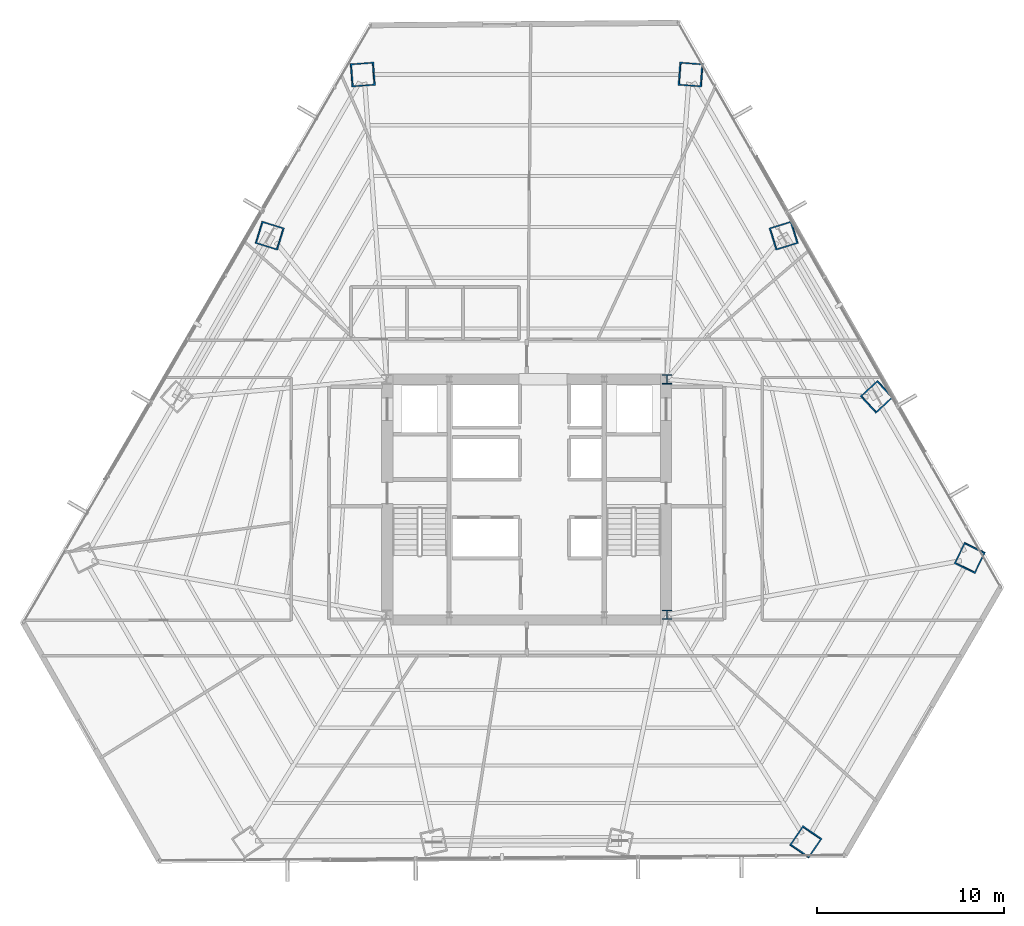
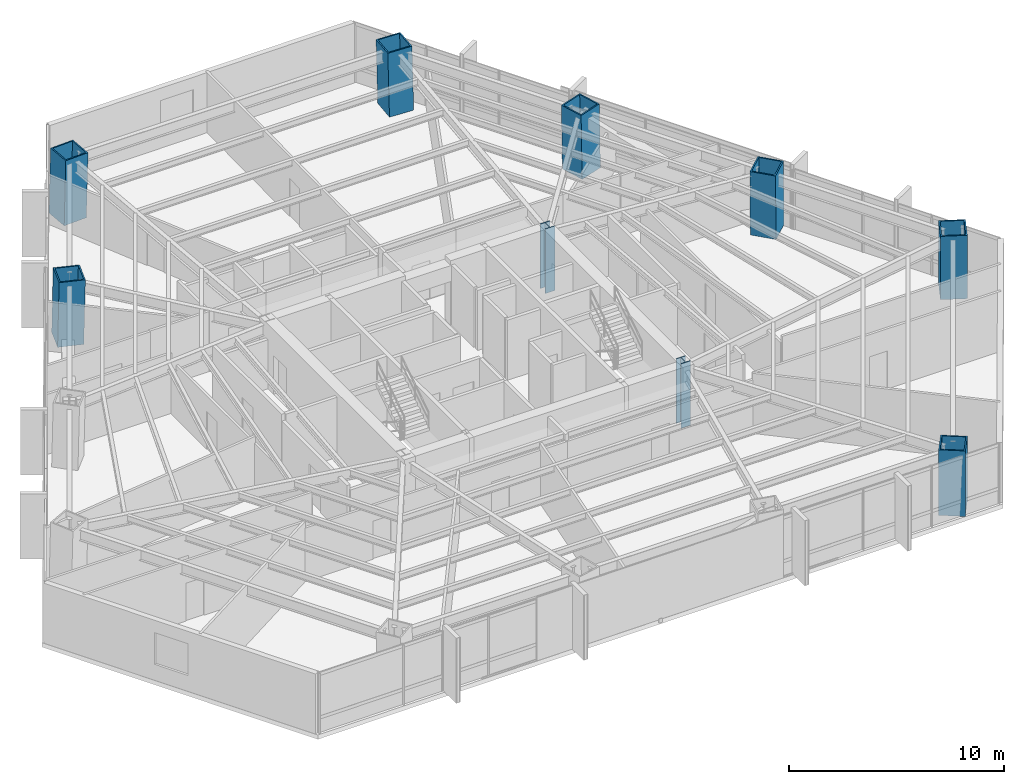
# One storey, part 2 of 34: 9 columns.
"""IFC4 building model written with IfcOpenShell, lengths in metres."""

from ifc_helpers import new_model, si_unit, direction, frame, origin, origin_2d, place, context, subcontext, project, spatial, hollow_rectangle, i_section, extrude, source, transform, mapped, material, material_profile, profile_set, type_object, type_shapes, element, save


model = new_model("IFC4")

# Units and contexts
model_context = context("Model", 3, precision=1e-05, world=origin(), true_north=direction((0.0, 1.0)))
body_context = subcontext(model_context, "Body", "Model", "MODEL_VIEW")
ifc_project = project(units=[si_unit("LENGTHUNIT", "METRE"), si_unit("AREAUNIT", "SQUARE_METRE"), si_unit("VOLUMEUNIT", "CUBIC_METRE"), si_unit("PLANEANGLEUNIT", "RADIAN"), si_unit("MASSUNIT", "GRAM", prefix="KILO")], contexts=[model_context])

# Site, building, storey
site_placement = place(None, origin())
site = spatial("IfcSite", under=ifc_project, at=site_placement, CompositionType="ELEMENT")
building_placement = place(site_placement, origin())
building = spatial("IfcBuilding", under=site, at=building_placement, Name="Caelisora Broadcast Tower", CompositionType="ELEMENT")
storey_placement = place(building_placement, frame((0.0, 0.0, 49.5)))
storey = spatial("IfcBuildingStorey", under=building, at=storey_placement, Name="L12", CompositionType="ELEMENT", Elevation=49.5)

# Columns
ifc_material_1 = material(Name="Steel Grade 350 (AS/NZS 3679.2)", Category="steel")
ifc_material_profile_1 = material_profile(ifc_material_1, i_section(OverallWidth=0.5, OverallDepth=0.5, WebThickness=0.028076171875, FlangeThickness=0.0400390625, at=origin_2d()), Name="Steel Grade 350 (AS/NZS 3679.2)")
ifc_profile_set_1 = profile_set([ifc_material_profile_1], Name="Steel Grade 350 (AS/NZS 3679.2)")
column_type_1 = type_object("IfcColumnType", Name="CC01", PredefinedType="COLUMN", material=ifc_profile_set_1)
shared_shape_1 = source(origin(), body_context, "Body", "SweptSolid", [
    extrude(i_section(OverallWidth=0.5, OverallDepth=0.5, WebThickness=0.028076171875, FlangeThickness=0.0400390625, at=origin_2d()), origin(), (0.0, 0.0, 1.0), 3.64990234375),
])
type_shapes(column_type_1, [shared_shape_1])
for number, where, z_axis, x_axis, name in (
    (1, (45.5, 17.39990234375, 0.0), (0.0, 0.0, 1.0), (1.0, 0.0, 0.0), "L12 column CC01"),
    (2, (45.5, 30.0, 0.0), (0.0, 0.0, 1.0), (1.0, 0.0, 0.0), "L12 column CC01"),
):
    element("IfcColumn", number, at=place(storey_placement, frame(where, z_axis=z_axis, x_axis=x_axis)), inside=storey, type_object=column_type_1, Name=name, PredefinedType="COLUMN", context=body_context, shape_type="MappedRepresentation", body=[
        mapped(shared_shape_1, transform((0.0, 0.0, 0.0), scale=1.0)),
    ])
ifc_material_2 = material(Name="Steel Grade 350 L15 (AS/NZS 3678)", Category="steel")
ifc_material_profile_2 = material_profile(ifc_material_2, hollow_rectangle(XDim=1.25, YDim=1.25, WallThickness=0.070068359375, at=origin_2d()), Name="Steel Grade 350 L15 (AS/NZS 3678)")
ifc_profile_set_2 = profile_set([ifc_material_profile_2], Name="Steel Grade 350 L15 (AS/NZS 3678)")
column_type_2 = type_object("IfcColumnType", Name="MC02", PredefinedType="COLUMN", material=ifc_profile_set_2)
shared_shape_2 = source(origin(), body_context, "Body", "SweptSolid", [
    extrude(hollow_rectangle(XDim=1.25, YDim=1.25, WallThickness=0.070068359375, at=origin_2d()), origin(), (0.0, 0.0, 1.0), 3.65087890625),
])
for number, where, z_axis, x_axis, name in (
    (3, (46.788330078125, 46.310546875, 0.0), (-0.023872756997, 0.001738632162, 0.999713493273), (-0.07263675076, -0.997358462359, 0.0), "L12 column MC02"),
    (4, (29.211669921875, 46.310546875, 0.0), (0.023872756997, 0.001738632162, 0.999713493273), (-0.07263675076, 0.997358462359, 0.0), "L12 column MC02"),
    (5, (52.92724609375, 5.23388671875, 0.0), (0.013507825582, 0.019793645407, 0.999712833893), (-0.825991119814, 0.563683129062, 0.0), "L12 column MC02"),
    (6, (61.7158203125, 20.455810546875, 0.0), (-0.010498643418, -0.021599119899, 0.999711586662), (0.899383059768, -0.437161425336, 0.0), "L12 column MC02"),
):
    element("IfcColumn", number, at=place(storey_placement, frame(where, z_axis=z_axis, x_axis=x_axis)), inside=storey, type_object=column_type_2, Name=name, PredefinedType="COLUMN", context=body_context, shape_type="MappedRepresentation", body=[
        mapped(shared_shape_2, transform((0.0, 0.0, 0.0), scale=1.0)),
    ])
shared_shape_3 = source(origin(), body_context, "Body", "SweptSolid", [
    extrude(hollow_rectangle(XDim=1.25, YDim=1.25, WallThickness=0.070068359375, at=origin_2d()), origin(), (0.0, 0.0, 1.0), 3.650634765625),
])
type_shapes(column_type_2, [shared_shape_2, shared_shape_3])
for number, where, z_axis, x_axis, name in (
    (7, (24.23583984375, 37.6923828125, 0.0), (0.019393993486, -0.006018825565, 0.999793802119), (0.296399214872, 0.955064136811, 0.0), "L12 column MC02"),
    (8, (56.739990234375, 29.073974609375, 0.0), (-0.014913313399, -0.013776424037, 0.999793880369), (0.678553674548, -0.734550822447, 0.0), "L12 column MC02"),
    (9, (51.76416015625, 37.6923828125, 0.0), (-0.019393993486, -0.006018825565, 0.999793802119), (0.296399214872, -0.955064136811, 0.0), "L12 column MC02"),
):
    element("IfcColumn", number, at=place(storey_placement, frame(where, z_axis=z_axis, x_axis=x_axis)), inside=storey, type_object=column_type_2, Name=name, PredefinedType="COLUMN", context=body_context, shape_type="MappedRepresentation", body=[
        mapped(shared_shape_3, transform((0.0, 0.0, 0.0), scale=1.0)),
    ])

save(model, "model.ifc")
